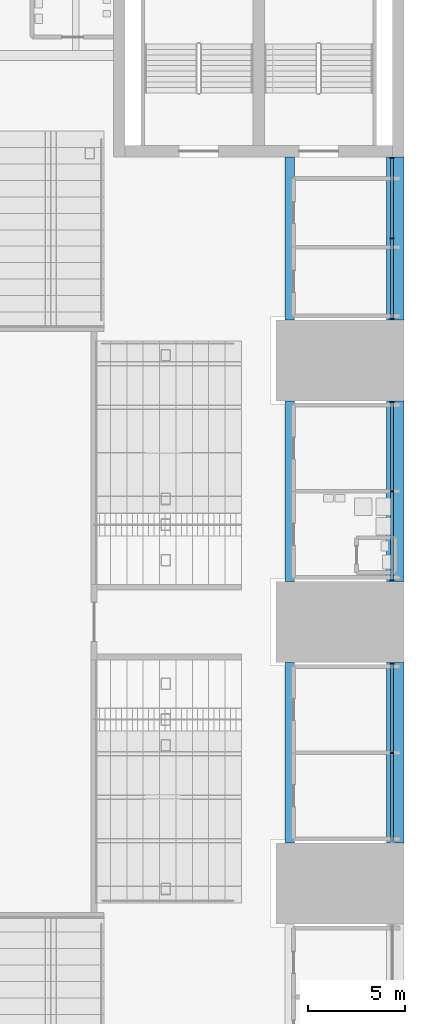
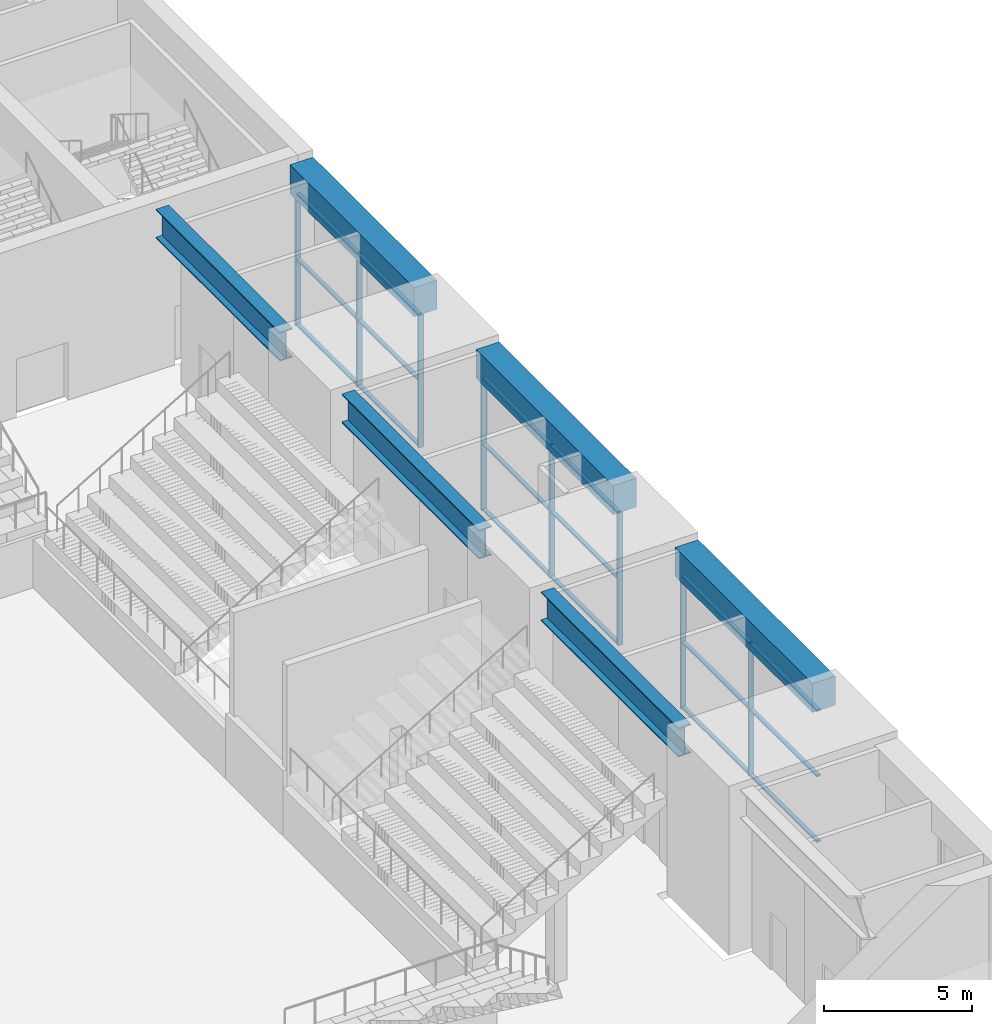
# One storey, part 9 of 62: 26 members, 6 beams, 3 elements without a shape of their own.
"""IFC4 building model written with IfcOpenShell, lengths in metres."""

import ifcopenshell
import ifcopenshell.guid

model = None  # the IFC model being written
_history = None  # IfcOwnerHistory: only IFC2X3 demands one
_inside = {}  # id of a spatial element -> (the spatial element, [elements in it])
_under = {}  # id of a project, library or spatial element -> (it, [spatial elements below it])
_declared = {}  # id of a project -> (the project, [libraries it declares])
_typed = {}  # id of a type object -> (the type object, [elements of that type])
_made_of = {}  # id of a material, layer set ... -> (it, [elements and type objects made of it])


def new_model(schema):
    """Start an empty IFC model of exactly this schema.

    Asked for "IFC4X3", IfcOpenShell would pick the latest addendum, in which some entities
    have other attributes; the version numbers below select the first issue.
    IFC2X3 requires an IfcOwnerHistory on every rooted entity: one is made here for all.
    """
    global model, _history
    if schema == "IFC4X3":
        model = ifcopenshell.file(schema_version=(4, 3, 0, 0))
    else:
        model = ifcopenshell.file(schema=schema)
    _inside.clear()
    _under.clear()
    _declared.clear()
    _typed.clear()
    _made_of.clear()
    _history = None
    if model.schema == "IFC2X3":
        org = make("IfcOrganization", Name="unknown")
        user = make(
            "IfcPersonAndOrganization",
            ThePerson=make("IfcPerson", FamilyName="unknown"),
            TheOrganization=org,
        )
        app = make(
            "IfcApplication",
            ApplicationDeveloper=org,
            Version="unknown",
            ApplicationFullName="unknown",
            ApplicationIdentifier="unknown",
        )
        _history = make(
            "IfcOwnerHistory",
            OwningUser=user,
            OwningApplication=app,
            ChangeAction="ADDED",
            CreationDate=0,
        )
    return model


def make(cls, **values):
    """One entity of the class cls with the attributes given. An attribute that is None is left unset."""
    return model.create_entity(
        cls, **{name: value for name, value in values.items() if value is not None}
    )


def rooted(cls, **values):
    """An entity with a GlobalId (a new one), such as an element, a storey or a relation."""
    return make(cls, GlobalId=ifcopenshell.guid.new(), OwnerHistory=_history, **values)


def si_unit(unit_type, name, prefix=None):
    """IfcSIUnit, for example si_unit("LENGTHUNIT", "METRE", prefix="MILLI")."""
    return make("IfcSIUnit", UnitType=unit_type, Prefix=prefix, Name=name)


def assignment(units):
    """IfcUnitAssignment: the units of a project."""
    return None if units is None else make("IfcUnitAssignment", Units=units)


def point(xyz):
    """IfcCartesianPoint."""
    return None if xyz is None else make("IfcCartesianPoint", Coordinates=xyz)


def direction(xyz):
    """IfcDirection."""
    return None if xyz is None else make("IfcDirection", DirectionRatios=xyz)


def frame(location, z_axis=None, x_axis=None):
    """IfcAxis2Placement3D, a coordinate frame: its origin and axes. An axis left out is left unset."""
    return make(
        "IfcAxis2Placement3D",
        Location=point(location),
        Axis=direction(z_axis),
        RefDirection=direction(x_axis),
    )


def frame_2d(location, x_axis=None):
    """IfcAxis2Placement2D, a coordinate frame in the plane: its origin and x axis."""
    return make(
        "IfcAxis2Placement2D", Location=point(location), RefDirection=direction(x_axis)
    )


def origin():
    """The frame at (0, 0, 0) with its axes left unset."""
    return frame((0.0, 0.0, 0.0))


def origin_2d():
    """The frame at (0, 0) in the plane with its x axis left unset."""
    return frame_2d((0.0, 0.0))


def place(relative_to, where):
    """IfcLocalPlacement: puts the frame where relative to a parent placement (None: the world)."""
    return make(
        "IfcLocalPlacement", PlacementRelTo=relative_to, RelativePlacement=where
    )


def context(
    kind, dimensions, precision=None, world=None, true_north=None, identifier=None
):
    """IfcGeometricRepresentationContext, for example the 3D "Model" context."""
    return make(
        "IfcGeometricRepresentationContext",
        ContextIdentifier=identifier,
        ContextType=kind,
        CoordinateSpaceDimension=dimensions,
        Precision=precision,
        WorldCoordinateSystem=world,
        TrueNorth=true_north,
    )


def subcontext(parent, identifier, kind, view, scale=None):
    """IfcGeometricRepresentationSubContext, for example "Body" below "Model"."""
    return make(
        "IfcGeometricRepresentationSubContext",
        ContextIdentifier=identifier,
        ContextType=kind,
        ParentContext=parent,
        TargetScale=scale,
        TargetView=view,
    )


def project(units=None, contexts=None):
    """IfcProject with its units and contexts."""
    return rooted(
        "IfcProject",
        Name="project",
        RepresentationContexts=contexts,
        UnitsInContext=assignment(units),
    )


def spatial(cls, under=None, at=None, **own):
    """A site, building, storey or space (cls), placed at a placement, below another one or the project."""
    s = rooted(cls, ObjectPlacement=at, **own)
    if under is not None:
        _under.setdefault(under.id(), (under, []))[1].append(s)
    return s


def profile(cls, at=None, kind="AREA", **sizes):
    """A parametric profile (cls). Its sizes go by their IFC names, for example OverallWidth=200.0."""
    return make(cls, ProfileType=kind, Position=at, **sizes)


def rectangle(**sizes):
    """IfcRectangleProfileDef."""
    return profile("IfcRectangleProfileDef", **sizes)


def i_section(**sizes):
    """IfcIShapeProfileDef."""
    return profile("IfcIShapeProfileDef", **sizes)


def extrude(swept, where, along, depth):
    """IfcExtrudedAreaSolid: the profile swept, set in the frame where, extruded along a direction by depth."""
    return make(
        "IfcExtrudedAreaSolid",
        SweptArea=swept,
        Position=where,
        ExtrudedDirection=direction(along),
        Depth=depth,
    )


def shape(context_of_items, identifier, shape_type, items):
    """IfcShapeRepresentation: the items that make up one representation, for example the "Body"."""
    return make(
        "IfcShapeRepresentation",
        ContextOfItems=context_of_items,
        RepresentationIdentifier=identifier,
        RepresentationType=shape_type,
        Items=items,
    )


def material(Name=None, Category=None):
    """IfcMaterial."""
    return make("IfcMaterial", Name=Name, Category=Category)


def layer(
    of_material, thickness, ventilated=None, Name=None, Category=None, Priority=None
):
    """IfcMaterialLayer: one layer of a wall or slab, of a material (None: an air gap)."""
    return make(
        "IfcMaterialLayer",
        Material=of_material,
        LayerThickness=thickness,
        IsVentilated=ventilated,
        Name=Name,
        Category=Category,
        Priority=Priority,
    )


def layer_set(layers, Name=None):
    """IfcMaterialLayerSet."""
    return make("IfcMaterialLayerSet", MaterialLayers=layers, LayerSetName=Name)


def material_profile(
    of_material, cross_section, Name=None, Category=None, Priority=None
):
    """IfcMaterialProfile: a cross section and its material."""
    return make(
        "IfcMaterialProfile",
        Name=Name,
        Material=of_material,
        Profile=cross_section,
        Priority=Priority,
        Category=Category,
    )


def profile_set(profiles, Name=None, composite=None):
    """IfcMaterialProfileSet."""
    return make(
        "IfcMaterialProfileSet",
        Name=Name,
        MaterialProfiles=profiles,
        CompositeProfile=composite,
    )


def made_of(thing, what):
    """Note that an element or type object is made of a material, layer set ...; save() writes the relation."""
    if what is not None:
        _made_of.setdefault(what.id(), (what, []))[1].append(thing)
    return thing


def type_object(cls, material=None, **own):
    """A type object (cls), such as IfcWallType, which elements share."""
    return made_of(rooted(cls, **own), material)


def element(
    cls,
    number,
    at=None,
    inside=None,
    cuts=None,
    type_object=None,
    material=None,
    context=None,
    identifier="Body",
    shape_type=None,
    held_by="IfcProductDefinitionShape",
    body=None,
    shapes=None,
    **own,
):
    """One element of the class cls, such as IfcWall. Its Tag is "e" and its number.

    at: its placement. inside: the storey or other place that contains it. cuts: it is an
    opening in that element (IfcRelVoidsElement). A single representation is given by context,
    identifier, shape_type and body (its items); several are given by shapes. held_by: the class
    of the entity that holds the representations. save() writes the other relations.
    """
    e = rooted(cls, Tag="e%d" % number, ObjectPlacement=at, **own)
    if body is not None:
        shapes = [shape(context, identifier, shape_type, body)]
    if shapes is not None:
        e.Representation = make(held_by, Representations=shapes)
    if inside is not None:
        _inside.setdefault(inside.id(), (inside, []))[1].append(e)
    if cuts is not None:
        rooted(
            "IfcRelVoidsElement", RelatingBuildingElement=cuts, RelatedOpeningElement=e
        )
    if type_object is not None:
        _typed.setdefault(type_object.id(), (type_object, []))[1].append(e)
    return made_of(e, material)


def aggregate(whole, parts):
    """IfcRelAggregates: a whole, such as a stair, and the parts it consists of."""
    return rooted("IfcRelAggregates", RelatingObject=whole, RelatedObjects=parts)


def save(model, path):
    """Write the relations noted so far, then the file.

    IfcRelAggregates (storeys below a building ...), IfcRelContainedInSpatialStructure (elements
    in a storey), IfcRelDefinesByType, IfcRelAssociatesMaterial and IfcRelDeclares: one each for
    every whole, place, type object, material and project.
    """
    for whole, parts in _under.values():
        aggregate(whole, parts)
    for where, things in _inside.values():
        rooted(
            "IfcRelContainedInSpatialStructure",
            RelatedElements=things,
            RelatingStructure=where,
        )
    for kind, things in _typed.values():
        rooted("IfcRelDefinesByType", RelatedObjects=things, RelatingType=kind)
    for what, things in _made_of.values():
        rooted("IfcRelAssociatesMaterial", RelatedObjects=things, RelatingMaterial=what)
    for by, libraries in _declared.values():
        rooted("IfcRelDeclares", RelatingContext=by, RelatedDefinitions=libraries)
    model.write(path)


model = new_model("IFC4")

# Units and contexts
model_context = context("Model", 3, precision=1e-05, world=origin(), true_north=direction((0.0, 1.0)))
body_context = subcontext(model_context, "Body", "Model", "MODEL_VIEW")
ifc_project = project(units=[si_unit("LENGTHUNIT", "METRE"), si_unit("AREAUNIT", "SQUARE_METRE"), si_unit("VOLUMEUNIT", "CUBIC_METRE"), si_unit("PLANEANGLEUNIT", "RADIAN"), si_unit("MASSUNIT", "GRAM", prefix="KILO")], contexts=[model_context])

# Site, building, storey
site_placement = place(None, origin())
site = spatial("IfcSite", under=ifc_project, at=site_placement, CompositionType="ELEMENT")
building_placement = place(site_placement, origin())
building = spatial("IfcBuilding", under=site, at=building_placement, Name="Corbelhall Arena Tower", CompositionType="ELEMENT")
storey_placement = place(building_placement, frame((0.0, 0.0, 12.0)))
storey = spatial("IfcBuildingStorey", under=building, at=storey_placement, Name="L01", CompositionType="ELEMENT", Elevation=12.0)

# Curtain wall, members
ifc_material_1 = material(Name="Aluminium black anodised", Category="aluminium")
ifc_layer = layer(ifc_material_1, 0.239990234375)
ifc_layer_set = layer_set([ifc_layer], Name="EV-CW4 Arena concourse glazing")
curtain_wall_type = type_object("IfcCurtainWallType", Name="EV-CW4 Arena concourse glazing", PredefinedType="NOTDEFINED", material=ifc_layer_set)
curtain_wall_1_placement = place(storey_placement, origin())
curtain_wall_1 = element("IfcCurtainWall", 1, at=curtain_wall_1_placement, inside=storey, type_object=curtain_wall_type, Name="Curtain wall CW4", PredefinedType="NOTDEFINED")
ifc_material_profile_1 = material_profile(ifc_material_1, rectangle(XDim=0.199951171875, YDim=0.074951171875, at=origin_2d()))
ifc_profile_set_1 = profile_set([ifc_material_profile_1], Name="Aluminium black anodised")
member_type_1 = type_object("IfcMemberType", Name="EV-CW4-MULLION", PredefinedType="MULLION", material=ifc_profile_set_1)
member_1_placement = place(storey_placement, frame((47.3798828125, -6.75, 0.0), z_axis=(0.0, 0.0, 1.0), x_axis=(-1.0, 0.0, 0.0)))
member_1 = element("IfcMember", 2, at=member_1_placement, type_object=member_type_1, Name="CW4 mullion 2", PredefinedType="MULLION", context=body_context, shape_type="SweptSolid", body=[
    extrude(rectangle(XDim=0.199951171875, YDim=0.074951171875, at=origin_2d()), origin(), (0.0, 0.0, 1.0), 5.5),
])
member_2_placement = place(storey_placement, frame((47.3798828125, -2.137451171875, 0.0), z_axis=(0.0, 0.0, 1.0), x_axis=(-1.0, 0.0, 0.0)))
member_2 = element("IfcMember", 3, at=member_2_placement, type_object=member_type_1, Name="CW4 mullion 3", PredefinedType="MULLION", context=body_context, shape_type="SweptSolid", body=[
    extrude(rectangle(XDim=0.199951171875, YDim=0.074951171875, at=origin_2d()), origin(), (0.0, 0.0, 1.0), 5.5),
])

curtain_wall_2_placement = place(storey_placement, origin())
curtain_wall_2 = element("IfcCurtainWall", 4, at=curtain_wall_2_placement, inside=storey, type_object=curtain_wall_type, Name="Curtain wall CW4", PredefinedType="NOTDEFINED")
member_3_placement = place(storey_placement, frame((47.3798828125, 2.137451171875, 0.0), z_axis=(0.0, 0.0, 1.0), x_axis=(-1.0, 0.0, 0.0)))
member_3 = element("IfcMember", 5, at=member_3_placement, type_object=member_type_1, Name="CW4 mullion 1", PredefinedType="MULLION", context=body_context, shape_type="SweptSolid", body=[
    extrude(rectangle(XDim=0.199951171875, YDim=0.074951171875, at=origin_2d()), origin(), (0.0, 0.0, 1.0), 5.5),
])
member_4_placement = place(storey_placement, frame((47.3798828125, 6.75, 0.0), z_axis=(0.0, 0.0, 1.0), x_axis=(-1.0, 0.0, 0.0)))
member_4 = element("IfcMember", 6, at=member_4_placement, type_object=member_type_1, Name="CW4 mullion 2", PredefinedType="MULLION", context=body_context, shape_type="SweptSolid", body=[
    extrude(rectangle(XDim=0.199951171875, YDim=0.074951171875, at=origin_2d()), origin(), (0.0, 0.0, 1.0), 5.5),
])
member_5_placement = place(storey_placement, frame((47.3798828125, 11.362548828125, 0.0), z_axis=(0.0, 0.0, 1.0), x_axis=(-1.0, 0.0, 0.0)))
member_5 = element("IfcMember", 7, at=member_5_placement, type_object=member_type_1, Name="CW4 mullion 3", PredefinedType="MULLION", context=body_context, shape_type="SweptSolid", body=[
    extrude(rectangle(XDim=0.199951171875, YDim=0.074951171875, at=origin_2d()), origin(), (0.0, 0.0, 1.0), 5.5),
])

curtain_wall_3_placement = place(storey_placement, origin())
curtain_wall_3 = element("IfcCurtainWall", 8, at=curtain_wall_3_placement, inside=storey, type_object=curtain_wall_type, Name="Curtain wall CW4B", PredefinedType="NOTDEFINED")
member_6_placement = place(storey_placement, frame((47.3798828125, 15.637451171875, 0.0), z_axis=(0.0, 0.0, 1.0), x_axis=(-1.0, 0.0, 0.0)))
member_6 = element("IfcMember", 9, at=member_6_placement, type_object=member_type_1, Name="CW4B mullion 1", PredefinedType="MULLION", context=body_context, shape_type="SweptSolid", body=[
    extrude(rectangle(XDim=0.199951171875, YDim=0.074951171875, at=origin_2d()), origin(), (0.0, 0.0, 1.0), 5.5),
])
member_7_placement = place(storey_placement, frame((47.3798828125, 19.800048828125, 0.0), z_axis=(0.0, 0.0, 1.0), x_axis=(-1.0, 0.0, 0.0)))
member_7 = element("IfcMember", 10, at=member_7_placement, type_object=member_type_1, Name="CW4B mullion 2", PredefinedType="MULLION", context=body_context, shape_type="SweptSolid", body=[
    extrude(rectangle(XDim=0.199951171875, YDim=0.074951171875, at=origin_2d()), origin(), (0.0, 0.0, 1.0), 5.5),
])
member_8_placement = place(storey_placement, frame((47.3798828125, 23.96240234375, 0.0), z_axis=(0.0, 0.0, 1.0), x_axis=(-1.0, 0.0, 0.0)))
member_8 = element("IfcMember", 11, at=member_8_placement, type_object=member_type_1, Name="CW4B mullion 3", PredefinedType="MULLION", context=body_context, shape_type="SweptSolid", body=[
    extrude(rectangle(XDim=0.199951171875, YDim=0.074951171875, at=origin_2d()), origin(), (0.0, 0.0, 1.0), 5.5),
])

# Member
ifc_material_profile_2 = material_profile(ifc_material_1, rectangle(XDim=0.14990234375, YDim=0.074951171875, at=origin_2d()))
ifc_profile_set_2 = profile_set([ifc_material_profile_2], Name="Aluminium black anodised")
member_type_2 = type_object("IfcMemberType", Name="EV-CW4-TRANSOM", PredefinedType="USERDEFINED", material=ifc_profile_set_2)
member_9_placement = place(storey_placement, frame((47.3798828125, -11.324951171875, 0.03759765625), z_axis=(0.0, 1.0, 0.0), x_axis=(-1.0, 0.0, 0.0)))
member_9 = element("IfcMember", 12, at=member_9_placement, type_object=member_type_2, Name="CW4 transom 1.1", ObjectType="transom", PredefinedType="USERDEFINED", context=body_context, shape_type="SweptSolid", body=[
    extrude(rectangle(XDim=0.14990234375, YDim=0.074951171875, at=origin_2d()), origin(), (0.0, 0.0, 1.0), 4.537353515625),
])

member_10_placement = place(storey_placement, frame((47.3798828125, -11.324951171875, 2.75), z_axis=(0.0, 1.0, 0.0), x_axis=(-1.0, 0.0, 0.0)))
member_10 = element("IfcMember", 13, at=member_10_placement, type_object=member_type_2, Name="CW4 transom 1.2", ObjectType="transom", PredefinedType="USERDEFINED", context=body_context, shape_type="SweptSolid", body=[
    extrude(rectangle(XDim=0.14990234375, YDim=0.074951171875, at=origin_2d()), origin(), (0.0, 0.0, 1.0), 4.537353515625),
])

member_11_placement = place(storey_placement, frame((47.3798828125, -11.324951171875, 5.46240234375), z_axis=(0.0, 1.0, 0.0), x_axis=(-1.0, 0.0, 0.0)))
member_11 = element("IfcMember", 14, at=member_11_placement, type_object=member_type_2, Name="CW4 transom 1.3", ObjectType="transom", PredefinedType="USERDEFINED", context=body_context, shape_type="SweptSolid", body=[
    extrude(rectangle(XDim=0.14990234375, YDim=0.074951171875, at=origin_2d()), origin(), (0.0, 0.0, 1.0), 4.537353515625),
])

member_12_placement = place(storey_placement, frame((47.3798828125, -6.71240234375, 0.03759765625), z_axis=(0.0, 1.0, 0.0), x_axis=(-1.0, 0.0, 0.0)))
member_12 = element("IfcMember", 15, at=member_12_placement, type_object=member_type_2, Name="CW4 transom 2.1", ObjectType="transom", PredefinedType="USERDEFINED", context=body_context, shape_type="SweptSolid", body=[
    extrude(rectangle(XDim=0.14990234375, YDim=0.074951171875, at=origin_2d()), origin(), (0.0, 0.0, 1.0), 4.537353515625),
])

member_13_placement = place(storey_placement, frame((47.3798828125, -6.71240234375, 2.75), z_axis=(0.0, 1.0, 0.0), x_axis=(-1.0, 0.0, 0.0)))
member_13 = element("IfcMember", 16, at=member_13_placement, type_object=member_type_2, Name="CW4 transom 2.2", ObjectType="transom", PredefinedType="USERDEFINED", context=body_context, shape_type="SweptSolid", body=[
    extrude(rectangle(XDim=0.14990234375, YDim=0.074951171875, at=origin_2d()), origin(), (0.0, 0.0, 1.0), 4.537353515625),
])

member_14_placement = place(storey_placement, frame((47.3798828125, -6.71240234375, 5.46240234375), z_axis=(0.0, 1.0, 0.0), x_axis=(-1.0, 0.0, 0.0)))
member_14 = element("IfcMember", 17, at=member_14_placement, type_object=member_type_2, Name="CW4 transom 2.3", ObjectType="transom", PredefinedType="USERDEFINED", context=body_context, shape_type="SweptSolid", body=[
    extrude(rectangle(XDim=0.14990234375, YDim=0.074951171875, at=origin_2d()), origin(), (0.0, 0.0, 1.0), 4.537353515625),
])

aggregate(curtain_wall_1, [member_1, member_2, member_9, member_10, member_11, member_12, member_13, member_14])

member_15_placement = place(storey_placement, frame((47.3798828125, 2.175048828125, 0.03759765625), z_axis=(0.0, 1.0, 0.0), x_axis=(-1.0, 0.0, 0.0)))
member_15 = element("IfcMember", 18, at=member_15_placement, type_object=member_type_2, Name="CW4 transom 1.1", ObjectType="transom", PredefinedType="USERDEFINED", context=body_context, shape_type="SweptSolid", body=[
    extrude(rectangle(XDim=0.14990234375, YDim=0.074951171875, at=origin_2d()), origin(), (0.0, 0.0, 1.0), 4.537353515625),
])

member_16_placement = place(storey_placement, frame((47.3798828125, 2.175048828125, 2.75), z_axis=(0.0, 1.0, 0.0), x_axis=(-1.0, 0.0, 0.0)))
member_16 = element("IfcMember", 19, at=member_16_placement, type_object=member_type_2, Name="CW4 transom 1.2", ObjectType="transom", PredefinedType="USERDEFINED", context=body_context, shape_type="SweptSolid", body=[
    extrude(rectangle(XDim=0.14990234375, YDim=0.074951171875, at=origin_2d()), origin(), (0.0, 0.0, 1.0), 4.537353515625),
])

member_17_placement = place(storey_placement, frame((47.3798828125, 2.175048828125, 5.46240234375), z_axis=(0.0, 1.0, 0.0), x_axis=(-1.0, 0.0, 0.0)))
member_17 = element("IfcMember", 20, at=member_17_placement, type_object=member_type_2, Name="CW4 transom 1.3", ObjectType="transom", PredefinedType="USERDEFINED", context=body_context, shape_type="SweptSolid", body=[
    extrude(rectangle(XDim=0.14990234375, YDim=0.074951171875, at=origin_2d()), origin(), (0.0, 0.0, 1.0), 4.537353515625),
])

member_18_placement = place(storey_placement, frame((47.3798828125, 6.78759765625, 0.03759765625), z_axis=(0.0, 1.0, 0.0), x_axis=(-1.0, 0.0, 0.0)))
member_18 = element("IfcMember", 21, at=member_18_placement, type_object=member_type_2, Name="CW4 transom 2.1", ObjectType="transom", PredefinedType="USERDEFINED", context=body_context, shape_type="SweptSolid", body=[
    extrude(rectangle(XDim=0.14990234375, YDim=0.074951171875, at=origin_2d()), origin(), (0.0, 0.0, 1.0), 4.537353515625),
])

member_19_placement = place(storey_placement, frame((47.3798828125, 6.78759765625, 2.75), z_axis=(0.0, 1.0, 0.0), x_axis=(-1.0, 0.0, 0.0)))
member_19 = element("IfcMember", 22, at=member_19_placement, type_object=member_type_2, Name="CW4 transom 2.2", ObjectType="transom", PredefinedType="USERDEFINED", context=body_context, shape_type="SweptSolid", body=[
    extrude(rectangle(XDim=0.14990234375, YDim=0.074951171875, at=origin_2d()), origin(), (0.0, 0.0, 1.0), 4.537353515625),
])

member_20_placement = place(storey_placement, frame((47.3798828125, 6.78759765625, 5.46240234375), z_axis=(0.0, 1.0, 0.0), x_axis=(-1.0, 0.0, 0.0)))
member_20 = element("IfcMember", 23, at=member_20_placement, type_object=member_type_2, Name="CW4 transom 2.3", ObjectType="transom", PredefinedType="USERDEFINED", context=body_context, shape_type="SweptSolid", body=[
    extrude(rectangle(XDim=0.14990234375, YDim=0.074951171875, at=origin_2d()), origin(), (0.0, 0.0, 1.0), 4.537353515625),
])

aggregate(curtain_wall_2, [member_3, member_4, member_5, member_15, member_16, member_17, member_18, member_19, member_20])

member_21_placement = place(storey_placement, frame((47.3798828125, 15.675048828125, 0.03759765625), z_axis=(0.0, 1.0, 0.0), x_axis=(-1.0, 0.0, 0.0)))
member_21 = element("IfcMember", 24, at=member_21_placement, type_object=member_type_2, Name="CW4B transom 1.1", ObjectType="transom", PredefinedType="USERDEFINED", context=body_context, shape_type="SweptSolid", body=[
    extrude(rectangle(XDim=0.14990234375, YDim=0.074951171875, at=origin_2d()), origin(), (0.0, 0.0, 1.0), 4.08740234375),
])

member_22_placement = place(storey_placement, frame((47.3798828125, 15.675048828125, 2.75), z_axis=(0.0, 1.0, 0.0), x_axis=(-1.0, 0.0, 0.0)))
member_22 = element("IfcMember", 25, at=member_22_placement, type_object=member_type_2, Name="CW4B transom 1.2", ObjectType="transom", PredefinedType="USERDEFINED", context=body_context, shape_type="SweptSolid", body=[
    extrude(rectangle(XDim=0.14990234375, YDim=0.074951171875, at=origin_2d()), origin(), (0.0, 0.0, 1.0), 4.08740234375),
])

member_23_placement = place(storey_placement, frame((47.3798828125, 15.675048828125, 5.46240234375), z_axis=(0.0, 1.0, 0.0), x_axis=(-1.0, 0.0, 0.0)))
member_23 = element("IfcMember", 26, at=member_23_placement, type_object=member_type_2, Name="CW4B transom 1.3", ObjectType="transom", PredefinedType="USERDEFINED", context=body_context, shape_type="SweptSolid", body=[
    extrude(rectangle(XDim=0.14990234375, YDim=0.074951171875, at=origin_2d()), origin(), (0.0, 0.0, 1.0), 4.08740234375),
])

member_24_placement = place(storey_placement, frame((47.3798828125, 19.83740234375, 0.03759765625), z_axis=(0.0, 1.0, 0.0), x_axis=(-1.0, 0.0, 0.0)))
member_24 = element("IfcMember", 27, at=member_24_placement, type_object=member_type_2, Name="CW4B transom 2.1", ObjectType="transom", PredefinedType="USERDEFINED", context=body_context, shape_type="SweptSolid", body=[
    extrude(rectangle(XDim=0.14990234375, YDim=0.074951171875, at=origin_2d()), origin(), (0.0, 0.0, 1.0), 4.087646484375),
])

member_25_placement = place(storey_placement, frame((47.3798828125, 19.83740234375, 2.75), z_axis=(0.0, 1.0, 0.0), x_axis=(-1.0, 0.0, 0.0)))
member_25 = element("IfcMember", 28, at=member_25_placement, type_object=member_type_2, Name="CW4B transom 2.2", ObjectType="transom", PredefinedType="USERDEFINED", context=body_context, shape_type="SweptSolid", body=[
    extrude(rectangle(XDim=0.14990234375, YDim=0.074951171875, at=origin_2d()), origin(), (0.0, 0.0, 1.0), 4.087646484375),
])

member_26_placement = place(storey_placement, frame((47.3798828125, 19.83740234375, 5.46240234375), z_axis=(0.0, 1.0, 0.0), x_axis=(-1.0, 0.0, 0.0)))
member_26 = element("IfcMember", 29, at=member_26_placement, type_object=member_type_2, Name="CW4B transom 2.3", ObjectType="transom", PredefinedType="USERDEFINED", context=body_context, shape_type="SweptSolid", body=[
    extrude(rectangle(XDim=0.14990234375, YDim=0.074951171875, at=origin_2d()), origin(), (0.0, 0.0, 1.0), 4.087646484375),
])

aggregate(curtain_wall_3, [member_6, member_7, member_8, member_21, member_22, member_23, member_24, member_25, member_26])

# Beams
ifc_material_2 = material(Name="Steel ASTM A572 Gr50", Category="steel")
ifc_material_profile_3 = material_profile(ifc_material_2, i_section(OverallWidth=0.5, OverallDepth=1.199951171875, WebThickness=0.02490234375, FlangeThickness=0.044921875, at=origin_2d()))
ifc_profile_set_3 = profile_set([ifc_material_profile_3], Name="Steel ASTM A572 Gr50")
beam_type_1 = type_object("IfcBeamType", Name="PO-GIRDER-PG1200X500X25X45", PredefinedType="BEAM", material=ifc_profile_set_3)
for number, where, z_axis, x_axis, name in (
    (30, (42.10009765625, -11.39990234375, 6.10009765625), (0.0, 1.0, 0.0), (-1.0, 0.0, 0.0), "INNER END GIRDER"),
    (31, (42.10009765625, 2.10009765625, 6.10009765625), (0.0, 1.0, 0.0), (-1.0, 0.0, 0.0), "INNER END GIRDER"),
):
    element("IfcBeam", number, at=place(storey_placement, frame(where, z_axis=z_axis, x_axis=x_axis)), inside=storey, type_object=beam_type_1, Name=name, PredefinedType="BEAM", context=body_context, shape_type="SweptSolid", body=[
        extrude(i_section(OverallWidth=0.5, OverallDepth=1.199951171875, WebThickness=0.02490234375, FlangeThickness=0.044921875, at=origin_2d()), origin(), (0.0, 0.0, 1.0), 9.2998046875),
    ])
beam_1_placement = place(storey_placement, frame((42.10009765625, 15.60009765625, 6.10009765625), z_axis=(0.0, 1.0, 0.0), x_axis=(-1.0, 0.0, 0.0)))
element("IfcBeam", 32, at=beam_1_placement, inside=storey, type_object=beam_type_1, Name="INNER END GIRDER", PredefinedType="BEAM", context=body_context, shape_type="SweptSolid", body=[
    extrude(i_section(OverallWidth=0.5, OverallDepth=1.199951171875, WebThickness=0.02490234375, FlangeThickness=0.044921875, at=origin_2d()), origin(), (0.0, 0.0, 1.0), 8.39990234375),
])
ifc_material_3 = material(Name="Concrete C80/95", Category="concrete")
ifc_material_profile_4 = material_profile(ifc_material_3, rectangle(XDim=0.89990234375, YDim=1.199951171875, at=origin_2d()))
ifc_profile_set_4 = profile_set([ifc_material_profile_4], Name="Concrete C80/95")
beam_type_2 = type_object("IfcBeamType", Name="PO-RING-BEAM", PredefinedType="BEAM", material=ifc_profile_set_4)
for number, where, z_axis, x_axis, name in (
    (33, (47.550048828125, -11.39990234375, 6.10009765625), (0.0, 1.0, 0.0), (-1.0, 0.0, 0.0), "RING GIRDER L02 E2"),
    (34, (47.550048828125, 2.10009765625, 6.10009765625), (0.0, 1.0, 0.0), (-1.0, 0.0, 0.0), "RING GIRDER L02 E3"),
):
    element("IfcBeam", number, at=place(storey_placement, frame(where, z_axis=z_axis, x_axis=x_axis)), inside=storey, type_object=beam_type_2, Name=name, PredefinedType="BEAM", context=body_context, shape_type="SweptSolid", body=[
        extrude(rectangle(XDim=0.89990234375, YDim=1.199951171875, at=origin_2d()), origin(), (0.0, 0.0, 1.0), 9.2998046875),
    ])
beam_2_placement = place(storey_placement, frame((47.550048828125, 15.60009765625, 6.10009765625), z_axis=(0.0, 1.0, 0.0), x_axis=(-1.0, 0.0, 0.0)))
element("IfcBeam", 35, at=beam_2_placement, inside=storey, type_object=beam_type_2, Name="RING GIRDER L02 E4", PredefinedType="BEAM", context=body_context, shape_type="SweptSolid", body=[
    extrude(rectangle(XDim=0.89990234375, YDim=1.199951171875, at=origin_2d()), origin(), (0.0, 0.0, 1.0), 8.39990234375),
])

save(model, "model.ifc")
